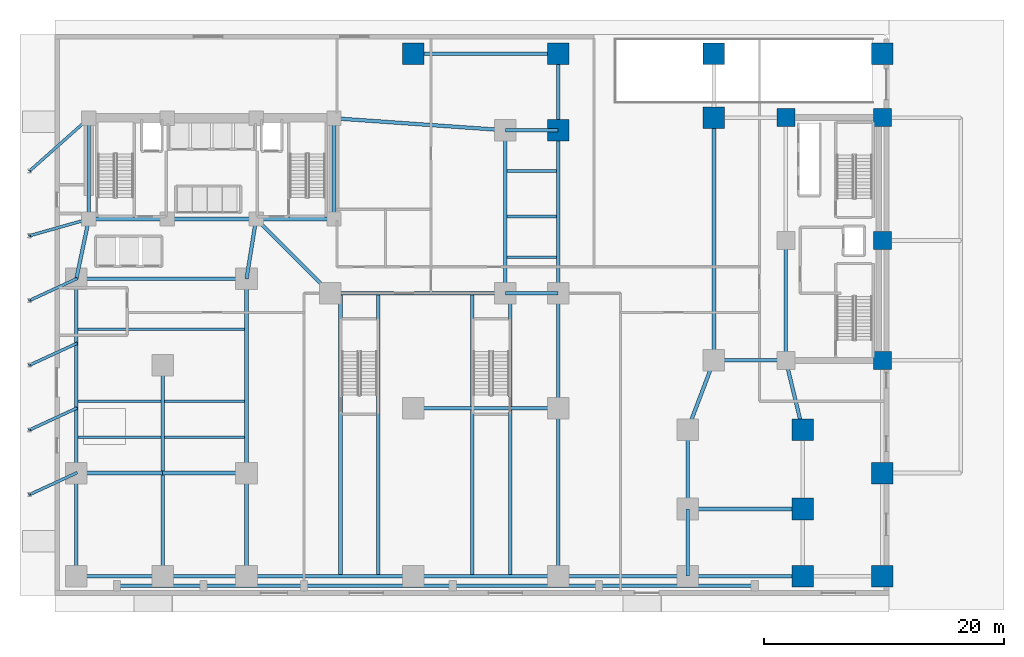
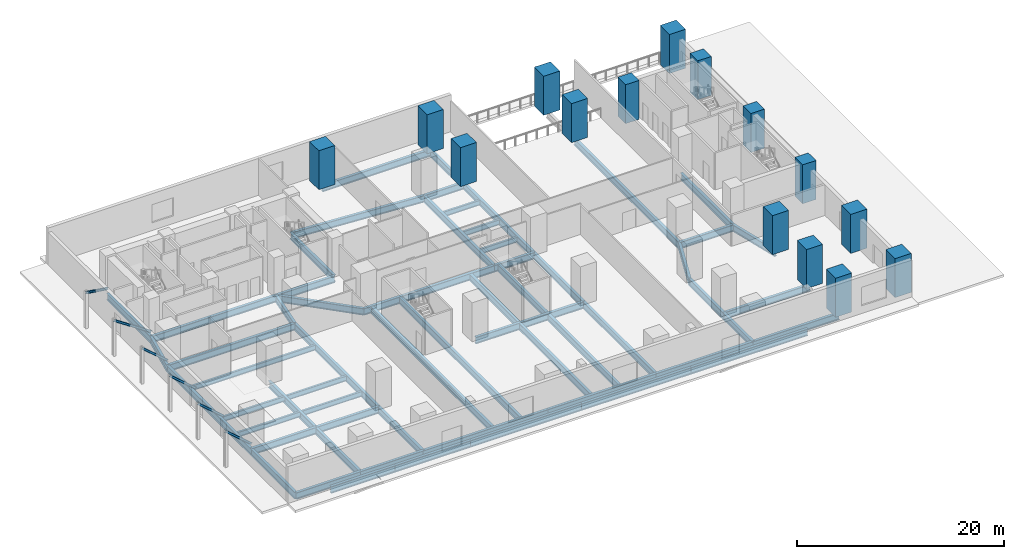
# One storey, part 4 of 14: 63 beams, 15 columns.
"""IFC4 building model written with IfcOpenShell, lengths in metres."""

from ifc_helpers import new_model, si_unit, direction, frame, origin, origin_2d, place, context, subcontext, project, spatial, rectangle, i_section, extrude, material, material_profile, profile_set, type_object, element, save


model = new_model("IFC4")

# Units and contexts
model_context = context("Model", 3, precision=1e-05, world=origin(), true_north=direction((0.0, 1.0)))
body_context = subcontext(model_context, "Body", "Model", "MODEL_VIEW")
ifc_project = project(units=[si_unit("LENGTHUNIT", "METRE"), si_unit("AREAUNIT", "SQUARE_METRE"), si_unit("VOLUMEUNIT", "CUBIC_METRE"), si_unit("PLANEANGLEUNIT", "RADIAN"), si_unit("MASSUNIT", "GRAM", prefix="KILO")], contexts=[model_context])

# Site, building, storey
site_placement = place(None, origin())
site = spatial("IfcSite", under=ifc_project, at=site_placement, CompositionType="ELEMENT")
building_placement = place(site_placement, origin())
building = spatial("IfcBuilding", under=site, at=building_placement, Name="Kuzgunbayir Cultural Tower", CompositionType="ELEMENT")
storey_placement = place(building_placement, origin())
storey = spatial("IfcBuildingStorey", under=building, at=storey_placement, Name="L00", CompositionType="ELEMENT", Elevation=0.0)

# Columns
ifc_material_1 = material(Name="Concrete C60/75", Category="concrete")
ifc_material_profile_1 = material_profile(ifc_material_1, rectangle(XDim=1.5, YDim=1.5, at=origin_2d()), Name="RC 1500x1500")
ifc_profile_set_1 = profile_set([ifc_material_profile_1], Name="Concrete C60/75")
column_type_1 = type_object("IfcColumnType", Name="COL-MEGA-1500", PredefinedType="COLUMN", material=ifc_profile_set_1)
for number, where, z_axis, x_axis, name in (
    (1, (72.64990234375, 22.0, 0.0), (0.0, 0.0, 1.0), (1.0, 0.0, 0.0), "L00 T2 Core Boundary Column CC2-2"),
    (2, (72.64990234375, 32.0, 0.0), (0.0, 0.0, 1.0), (1.0, 0.0, 0.0), "L00 T2 Core Boundary Column CC2-4"),
    (3, (64.60009765625, 42.25, 0.0), (0.0, 0.0, 1.0), (1.0, 0.0, 0.0), "L00 T2 Core Boundary Column CC2-5"),
    (4, (72.64990234375, 42.25, 0.0), (0.0, 0.0, 1.0), (1.0, 0.0, 0.0), "L00 T2 Core Boundary Column CC2-6"),
):
    element("IfcColumn", number, at=place(storey_placement, frame(where, z_axis=z_axis, x_axis=x_axis)), inside=storey, type_object=column_type_1, Name=name, PredefinedType="COLUMN", context=body_context, shape_type="SweptSolid", body=[
        extrude(rectangle(XDim=1.5, YDim=1.5, at=origin_2d()), origin(), (0.0, 0.0, 1.0), 4.60009765625),
    ])
ifc_material_profile_2 = material_profile(ifc_material_1, rectangle(XDim=1.800048828125, YDim=1.800048828125, at=origin_2d()), Name="RC 1800x1800")
ifc_profile_set_2 = profile_set([ifc_material_profile_2], Name="Concrete C60/75")
column_type_2 = type_object("IfcColumnType", Name="COL-MEGA-1800", PredefinedType="COLUMN", material=ifc_profile_set_2)
for number, where, z_axis, x_axis, name in (
    (5, (45.60009765625, 41.199951171875, 0.0), (0.0, 0.0, 1.0), (1.0, 0.0, 0.0), "L00 Podium Mega-Column PC-T1B-5N"),
    (6, (58.60009765625, 42.25, 0.0), (0.0, 0.0, 1.0), (1.0, 0.0, 0.0), "L00 Podium Mega-Column PC-T2A-NW"),
    (7, (66.0, 9.60009765625, 0.0), (0.0, 0.0, 1.0), (1.0, 0.0, 0.0), "L00 Podium Mega-Column PC-T2B-SE"),
    (8, (66.0, 16.199951171875, 0.0), (0.0, 0.0, 1.0), (1.0, 0.0, 0.0), "L00 Podium Mega-Column PC-T2B-ME"),
    (9, (66.0, 4.0, 0.0), (0.0, 0.0, 1.0), (1.0, 0.0, 0.0), "L00 Podium Mega-Column PC-P07"),
    (10, (72.64990234375, 4.0, 0.0), (0.0, 0.0, 1.0), (1.0, 0.0, 0.0), "L00 Podium Mega-Column PC-P08"),
    (11, (72.64990234375, 12.60009765625, 0.0), (0.0, 0.0, 1.0), (1.0, 0.0, 0.0), "L00 Podium Mega-Column PC-P12"),
    (12, (33.5, 47.60009765625, 0.0), (0.0, 0.0, 1.0), (1.0, 0.0, 0.0), "L00 Podium Mega-Column PC-P13"),
    (13, (45.60009765625, 47.60009765625, 0.0), (0.0, 0.0, 1.0), (1.0, 0.0, 0.0), "L00 Podium Mega-Column PC-P14"),
    (14, (58.60009765625, 47.60009765625, 0.0), (0.0, 0.0, 1.0), (1.0, 0.0, 0.0), "L00 Podium Mega-Column PC-P15"),
    (15, (72.64990234375, 47.60009765625, 0.0), (0.0, 0.0, 1.0), (1.0, 0.0, 0.0), "L00 Podium Mega-Column PC-P16"),
):
    element("IfcColumn", number, at=place(storey_placement, frame(where, z_axis=z_axis, x_axis=x_axis)), inside=storey, type_object=column_type_2, Name=name, PredefinedType="COLUMN", context=body_context, shape_type="SweptSolid", body=[
        extrude(rectangle(XDim=1.800048828125, YDim=1.800048828125, at=origin_2d()), origin(), (0.0, 0.0, 1.0), 4.60009765625),
    ])

# Beams
ifc_material_2 = material(Name="Steel S355J2", Category="steel")
ifc_material_profile_3 = material_profile(ifc_material_2, i_section(OverallWidth=0.239990234375, OverallDepth=0.239990234375, WebThickness=0.010009765625, FlangeThickness=0.01708984375, FilletRadius=0.02099609375, at=origin_2d()), Name="HEB 240")
ifc_profile_set_3 = profile_set([ifc_material_profile_3], Name="Steel S355J2")
beam_type_1 = type_object("IfcBeamType", Name="BM-CAN-HEB240", PredefinedType="BEAM", material=ifc_profile_set_3)
for number, where, z_axis, x_axis, name in (
    (16, (5.39990234375, 12.60009765625, 0.25), (-0.672210621389, -0.310267241236, 0.672210621389), (0.419076199598, -0.907951066374, 0.0), "L00 Colonnade Canopy Bracket Girder 1"),
    (17, (5.39990234375, 18.0, 0.25), (-0.672210621389, -0.310267241236, 0.672210621389), (0.419076199598, -0.907951066374, 0.0), "L00 Colonnade Canopy Bracket Girder 2"),
    (18, (5.39990234375, 23.39990234375, 0.25), (-0.672219397701, -0.310229209957, 0.672219397701), (0.419029341013, -0.907972693075, 0.0), "L00 Colonnade Canopy Bracket Girder 3"),
    (19, (5.39990234375, 28.800048828125, 0.25), (-0.672210621389, -0.310267241236, 0.672210621389), (0.419076199598, -0.907951066374, 0.0), "L00 Colonnade Canopy Bracket Girder 4"),
):
    element("IfcBeam", number, at=place(storey_placement, frame(where, z_axis=z_axis, x_axis=x_axis)), inside=storey, type_object=beam_type_1, Name=name, PredefinedType="BEAM", context=body_context, shape_type="SweptSolid", body=[
        extrude(i_section(OverallWidth=0.239990234375, OverallDepth=0.239990234375, WebThickness=0.010009765625, FlangeThickness=0.01708984375, FilletRadius=0.02099609375, at=origin_2d()), origin(), (0.0, 0.0, 1.0), 5.801513671875),
    ])
beam_1_placement = place(storey_placement, frame((6.449951171875, 33.800048828125, 0.25), z_axis=(-0.766797146348, -0.216896751384, 0.604134037769), x_axis=(0.272181522825, -0.962245924197, 0.0)))
element("IfcBeam", 20, at=beam_1_placement, inside=storey, type_object=beam_type_1, Name="L00 Colonnade Canopy Bracket Girder 5", PredefinedType="BEAM", context=body_context, shape_type="SweptSolid", body=[
    extrude(i_section(OverallWidth=0.239990234375, OverallDepth=0.239990234375, WebThickness=0.010009765625, FlangeThickness=0.01708984375, FilletRadius=0.02099609375, at=origin_2d()), origin(), (0.0, 0.0, 1.0), 6.455322265625),
])
beam_2_placement = place(storey_placement, frame((6.449951171875, 42.199951171875, 0.25), z_axis=(-0.644044647828, -0.572477072412, 0.507421415754), x_axis=(0.664359262623, -0.747413386398, 0.0)))
element("IfcBeam", 21, at=beam_2_placement, inside=storey, type_object=beam_type_1, Name="L00 Colonnade Canopy Bracket Girder 6", PredefinedType="BEAM", context=body_context, shape_type="SweptSolid", body=[
    extrude(i_section(OverallWidth=0.239990234375, OverallDepth=0.239990234375, WebThickness=0.010009765625, FlangeThickness=0.01708984375, FilletRadius=0.02099609375, at=origin_2d()), origin(), (0.0, 0.0, 1.0), 7.685791015625),
])
ifc_material_profile_4 = material_profile(ifc_material_2, i_section(OverallWidth=0.300048828125, OverallDepth=0.800048828125, WebThickness=0.017578125, FlangeThickness=0.032958984375, FilletRadius=0.030029296875, at=origin_2d()), Name="HEB 800")
ifc_profile_set_4 = profile_set([ifc_material_profile_4], Name="Steel S355J2")
beam_type_2 = type_object("IfcBeamType", Name="BM-GIR-HEB800", PredefinedType="BEAM", material=ifc_profile_set_4)
beam_3_placement = place(storey_placement, frame((5.39990234375, 4.0, -0.64990234375), z_axis=(1.0, 0.0, 0.0), x_axis=(0.0, 1.0, 0.0)))
element("IfcBeam", 22, at=beam_3_placement, inside=storey, type_object=beam_type_2, Name="L00 Podium South Girder 1", PredefinedType="BEAM", context=body_context, shape_type="SweptSolid", body=[
    extrude(i_section(OverallWidth=0.300048828125, OverallDepth=0.800048828125, WebThickness=0.017578125, FlangeThickness=0.032958984375, FilletRadius=0.030029296875, at=origin_2d()), origin(), (0.0, 0.0, 1.0), 7.2001953125),
])
beam_4_placement = place(storey_placement, frame((12.60009765625, 4.0, -0.64990234375), z_axis=(1.0, 0.0, 0.0), x_axis=(0.0, 1.0, 0.0)))
element("IfcBeam", 23, at=beam_4_placement, inside=storey, type_object=beam_type_2, Name="L00 Podium South Girder 2", PredefinedType="BEAM", context=body_context, shape_type="SweptSolid", body=[
    extrude(i_section(OverallWidth=0.300048828125, OverallDepth=0.800048828125, WebThickness=0.017578125, FlangeThickness=0.032958984375, FilletRadius=0.030029296875, at=origin_2d()), origin(), (0.0, 0.0, 1.0), 7.0),
])
beam_5_placement = place(storey_placement, frame((19.60009765625, 4.0, -0.64990234375), z_axis=(1.0, 0.0, 0.0), x_axis=(0.0, 1.0, 0.0)))
element("IfcBeam", 24, at=beam_5_placement, inside=storey, type_object=beam_type_2, Name="L00 Podium South Girder 3", PredefinedType="BEAM", context=body_context, shape_type="SweptSolid", body=[
    extrude(i_section(OverallWidth=0.300048828125, OverallDepth=0.800048828125, WebThickness=0.017578125, FlangeThickness=0.032958984375, FilletRadius=0.030029296875, at=origin_2d()), origin(), (0.0, 0.0, 1.0), 13.89990234375),
])
beam_6_placement = place(storey_placement, frame((33.5, 4.0, -0.64990234375), z_axis=(1.0, 0.0, 0.0), x_axis=(0.0, 1.0, 0.0)))
element("IfcBeam", 25, at=beam_6_placement, inside=storey, type_object=beam_type_2, Name="L00 Podium South Girder 4", PredefinedType="BEAM", context=body_context, shape_type="SweptSolid", body=[
    extrude(i_section(OverallWidth=0.300048828125, OverallDepth=0.800048828125, WebThickness=0.017578125, FlangeThickness=0.032958984375, FilletRadius=0.030029296875, at=origin_2d()), origin(), (0.0, 0.0, 1.0), 12.10009765625),
])
beam_7_placement = place(storey_placement, frame((45.60009765625, 4.0, -0.64990234375), z_axis=(1.0, 0.0, 0.0), x_axis=(0.0, 1.0, 0.0)))
element("IfcBeam", 26, at=beam_7_placement, inside=storey, type_object=beam_type_2, Name="L00 Podium South Girder 5", PredefinedType="BEAM", context=body_context, shape_type="SweptSolid", body=[
    extrude(i_section(OverallWidth=0.300048828125, OverallDepth=0.800048828125, WebThickness=0.017578125, FlangeThickness=0.032958984375, FilletRadius=0.030029296875, at=origin_2d()), origin(), (0.0, 0.0, 1.0), 10.7998046875),
])
beam_8_placement = place(storey_placement, frame((56.39990234375, 4.0, -0.64990234375), z_axis=(1.0, 0.0, 0.0), x_axis=(0.0, 1.0, 0.0)))
element("IfcBeam", 27, at=beam_8_placement, inside=storey, type_object=beam_type_2, Name="L00 Podium South Girder 6", PredefinedType="BEAM", context=body_context, shape_type="SweptSolid", body=[
    extrude(i_section(OverallWidth=0.300048828125, OverallDepth=0.800048828125, WebThickness=0.017578125, FlangeThickness=0.032958984375, FilletRadius=0.030029296875, at=origin_2d()), origin(), (0.0, 0.0, 1.0), 9.60009765625),
])
beam_9_placement = place(storey_placement, frame((8.800048828125, 3.199951171875, -0.64990234375), z_axis=(1.0, 0.0, 0.0), x_axis=(0.0, 1.0, 0.0)))
element("IfcBeam", 28, at=beam_9_placement, inside=storey, type_object=beam_type_2, Name="L00 South Edge Girder 1", PredefinedType="BEAM", context=body_context, shape_type="SweptSolid", body=[
    extrude(i_section(OverallWidth=0.300048828125, OverallDepth=0.800048828125, WebThickness=0.017578125, FlangeThickness=0.032958984375, FilletRadius=0.030029296875, at=origin_2d()), origin(), (0.0, 0.0, 1.0), 7.199951171875),
])
beam_10_placement = place(storey_placement, frame((16.0, 3.199951171875, -0.64990234375), z_axis=(1.0, 0.0, 0.0), x_axis=(0.0, 1.0, 0.0)))
element("IfcBeam", 29, at=beam_10_placement, inside=storey, type_object=beam_type_2, Name="L00 South Edge Girder 2", PredefinedType="BEAM", context=body_context, shape_type="SweptSolid", body=[
    extrude(i_section(OverallWidth=0.300048828125, OverallDepth=0.800048828125, WebThickness=0.017578125, FlangeThickness=0.032958984375, FilletRadius=0.030029296875, at=origin_2d()), origin(), (0.0, 0.0, 1.0), 8.39990234375),
])
beam_11_placement = place(storey_placement, frame((24.39990234375, 3.199951171875, -0.64990234375), z_axis=(1.0, 0.0, 0.0), x_axis=(0.0, 1.0, 0.0)))
element("IfcBeam", 30, at=beam_11_placement, inside=storey, type_object=beam_type_2, Name="L00 South Edge Girder 3", PredefinedType="BEAM", context=body_context, shape_type="SweptSolid", body=[
    extrude(i_section(OverallWidth=0.300048828125, OverallDepth=0.800048828125, WebThickness=0.017578125, FlangeThickness=0.032958984375, FilletRadius=0.030029296875, at=origin_2d()), origin(), (0.0, 0.0, 1.0), 12.400146484375),
])
beam_12_placement = place(storey_placement, frame((36.800048828125, 3.199951171875, -0.64990234375), z_axis=(1.0, 0.0, 0.0), x_axis=(0.0, 1.0, 0.0)))
element("IfcBeam", 31, at=beam_12_placement, inside=storey, type_object=beam_type_2, Name="L00 South Edge Girder 4", PredefinedType="BEAM", context=body_context, shape_type="SweptSolid", body=[
    extrude(i_section(OverallWidth=0.300048828125, OverallDepth=0.800048828125, WebThickness=0.017578125, FlangeThickness=0.032958984375, FilletRadius=0.030029296875, at=origin_2d()), origin(), (0.0, 0.0, 1.0), 12.199951171875),
])
beam_13_placement = place(storey_placement, frame((49.0, 3.199951171875, -0.64990234375), z_axis=(1.0, 0.0, 0.0), x_axis=(0.0, 1.0, 0.0)))
element("IfcBeam", 32, at=beam_13_placement, inside=storey, type_object=beam_type_2, Name="L00 South Edge Girder 5", PredefinedType="BEAM", context=body_context, shape_type="SweptSolid", body=[
    extrude(i_section(OverallWidth=0.300048828125, OverallDepth=0.800048828125, WebThickness=0.017578125, FlangeThickness=0.032958984375, FilletRadius=0.030029296875, at=origin_2d()), origin(), (0.0, 0.0, 1.0), 13.0),
])
beam_14_placement = place(storey_placement, frame((33.5, 47.60009765625, -0.64990234375), z_axis=(1.0, 0.0, 0.0), x_axis=(0.0, 1.0, 0.0)))
element("IfcBeam", 33, at=beam_14_placement, inside=storey, type_object=beam_type_2, Name="L00 Podium North Girder 1", PredefinedType="BEAM", context=body_context, shape_type="SweptSolid", body=[
    extrude(i_section(OverallWidth=0.300048828125, OverallDepth=0.800048828125, WebThickness=0.017578125, FlangeThickness=0.032958984375, FilletRadius=0.030029296875, at=origin_2d()), origin(), (0.0, 0.0, 1.0), 12.10009765625),
])
beam_15_placement = place(storey_placement, frame((5.39990234375, 12.60009765625, -0.64990234375), z_axis=(1.0, 0.0, 0.0), x_axis=(0.0, 1.0, 0.0)))
element("IfcBeam", 34, at=beam_15_placement, inside=storey, type_object=beam_type_2, Name="L00 Podium Primary Girder 1", PredefinedType="BEAM", context=body_context, shape_type="SweptSolid", body=[
    extrude(i_section(OverallWidth=0.300048828125, OverallDepth=0.800048828125, WebThickness=0.017578125, FlangeThickness=0.032958984375, FilletRadius=0.030029296875, at=origin_2d()), origin(), (0.0, 0.0, 1.0), 7.2001953125),
])
beam_16_placement = place(storey_placement, frame((12.60009765625, 12.60009765625, -0.64990234375), z_axis=(1.0, 0.0, 0.0), x_axis=(0.0, 1.0, 0.0)))
element("IfcBeam", 35, at=beam_16_placement, inside=storey, type_object=beam_type_2, Name="L00 Podium Primary Girder 2", PredefinedType="BEAM", context=body_context, shape_type="SweptSolid", body=[
    extrude(i_section(OverallWidth=0.300048828125, OverallDepth=0.800048828125, WebThickness=0.017578125, FlangeThickness=0.032958984375, FilletRadius=0.030029296875, at=origin_2d()), origin(), (0.0, 0.0, 1.0), 7.0),
])
beam_17_placement = place(storey_placement, frame((5.39990234375, 28.800048828125, -0.64990234375), z_axis=(1.0, 0.0, 0.0), x_axis=(0.0, 1.0, 0.0)))
element("IfcBeam", 36, at=beam_17_placement, inside=storey, type_object=beam_type_2, Name="L00 Podium Primary Girder 3", PredefinedType="BEAM", context=body_context, shape_type="SweptSolid", body=[
    extrude(i_section(OverallWidth=0.300048828125, OverallDepth=0.800048828125, WebThickness=0.017578125, FlangeThickness=0.032958984375, FilletRadius=0.030029296875, at=origin_2d()), origin(), (0.0, 0.0, 1.0), 14.2001953125),
])
for number, where, z_axis, x_axis, name in (
    (37, (5.39990234375, 12.60009765625, -0.64990234375), (0.0, 1.0, 0.0), (-1.0, 0.0, 0.0), "L00 Podium Primary Girder 4"),
    (38, (19.60009765625, 12.60009765625, -0.64990234375), (0.0, 1.0, 0.0), (-1.0, 0.0, 0.0), "L00 Podium Primary Girder 5"),
):
    element("IfcBeam", number, at=place(storey_placement, frame(where, z_axis=z_axis, x_axis=x_axis)), inside=storey, type_object=beam_type_2, Name=name, PredefinedType="BEAM", context=body_context, shape_type="SweptSolid", body=[
        extrude(i_section(OverallWidth=0.300048828125, OverallDepth=0.800048828125, WebThickness=0.017578125, FlangeThickness=0.032958984375, FilletRadius=0.030029296875, at=origin_2d()), origin(), (0.0, 0.0, 1.0), 16.199951171875),
    ])
beam_18_placement = place(storey_placement, frame((12.60009765625, 12.60009765625, -0.64990234375), z_axis=(0.0, 1.0, 0.0), x_axis=(-1.0, 0.0, 0.0)))
element("IfcBeam", 39, at=beam_18_placement, inside=storey, type_object=beam_type_2, Name="L00 Podium Primary Girder 6", PredefinedType="BEAM", context=body_context, shape_type="SweptSolid", body=[
    extrude(i_section(OverallWidth=0.300048828125, OverallDepth=0.800048828125, WebThickness=0.017578125, FlangeThickness=0.032958984375, FilletRadius=0.030029296875, at=origin_2d()), origin(), (0.0, 0.0, 1.0), 9.0),
])
beam_19_placement = place(storey_placement, frame((5.39990234375, 28.800048828125, -0.64990234375), z_axis=(0.205526387753, 0.978651574329, 0.0), x_axis=(-0.978651574329, 0.205526387753, 0.0)))
element("IfcBeam", 40, at=beam_19_placement, inside=storey, type_object=beam_type_2, Name="L00 Podium Primary Girder 7", PredefinedType="BEAM", context=body_context, shape_type="SweptSolid", body=[
    extrude(i_section(OverallWidth=0.300048828125, OverallDepth=0.800048828125, WebThickness=0.017578125, FlangeThickness=0.032958984375, FilletRadius=0.030029296875, at=origin_2d()), origin(), (0.0, 0.0, 1.0), 5.109130859375),
])
beam_20_placement = place(storey_placement, frame((19.60009765625, 28.800048828125, -0.64990234375), z_axis=(0.157952891656, 0.987446648694, 0.0), x_axis=(-0.987446648694, 0.157952891656, 0.0)))
element("IfcBeam", 41, at=beam_20_placement, inside=storey, type_object=beam_type_2, Name="L00 Podium Primary Girder 8", PredefinedType="BEAM", context=body_context, shape_type="SweptSolid", body=[
    extrude(i_section(OverallWidth=0.300048828125, OverallDepth=0.800048828125, WebThickness=0.017578125, FlangeThickness=0.032958984375, FilletRadius=0.030029296875, at=origin_2d()), origin(), (0.0, 0.0, 1.0), 5.0634765625),
])
beam_21_placement = place(storey_placement, frame((20.39990234375, 33.800048828125, -0.64990234375), z_axis=(0.707120702941, -0.707092859158, 0.0), x_axis=(0.707092859158, 0.707120702941, 0.0)))
element("IfcBeam", 42, at=beam_21_placement, inside=storey, type_object=beam_type_2, Name="L00 Podium Primary Girder 9", PredefinedType="BEAM", context=body_context, shape_type="SweptSolid", body=[
    extrude(i_section(OverallWidth=0.300048828125, OverallDepth=0.800048828125, WebThickness=0.017578125, FlangeThickness=0.032958984375, FilletRadius=0.030029296875, at=origin_2d()), origin(), (0.0, 0.0, 1.0), 8.768310546875),
])
beam_22_placement = place(storey_placement, frame((26.60009765625, 27.60009765625, -0.64990234375), z_axis=(1.0, 0.0, 0.0), x_axis=(0.0, 1.0, 0.0)))
element("IfcBeam", 43, at=beam_22_placement, inside=storey, type_object=beam_type_2, Name="L00 Podium Primary Girder 10", PredefinedType="BEAM", context=body_context, shape_type="SweptSolid", body=[
    extrude(i_section(OverallWidth=0.300048828125, OverallDepth=0.800048828125, WebThickness=0.017578125, FlangeThickness=0.032958984375, FilletRadius=0.030029296875, at=origin_2d()), origin(), (0.0, 0.0, 1.0), 14.599853515625),
])
beam_23_placement = place(storey_placement, frame((41.199951171875, 27.60009765625, -0.64990234375), z_axis=(1.0, 0.0, 0.0), x_axis=(0.0, 1.0, 0.0)))
element("IfcBeam", 44, at=beam_23_placement, inside=storey, type_object=beam_type_2, Name="L00 Podium Primary Girder 11", PredefinedType="BEAM", context=body_context, shape_type="SweptSolid", body=[
    extrude(i_section(OverallWidth=0.300048828125, OverallDepth=0.800048828125, WebThickness=0.017578125, FlangeThickness=0.032958984375, FilletRadius=0.030029296875, at=origin_2d()), origin(), (0.0, 0.0, 1.0), 4.400146484375),
])
beam_24_placement = place(storey_placement, frame((26.89990234375, 42.199951171875, -0.64990234375), z_axis=(0.997563840671, -0.06975947094, 0.0), x_axis=(0.06975947094, 0.997563840671, 0.0)))
element("IfcBeam", 45, at=beam_24_placement, inside=storey, type_object=beam_type_2, Name="L00 Podium Primary Girder 12", PredefinedType="BEAM", context=body_context, shape_type="SweptSolid", body=[
    extrude(i_section(OverallWidth=0.300048828125, OverallDepth=0.800048828125, WebThickness=0.017578125, FlangeThickness=0.032958984375, FilletRadius=0.030029296875, at=origin_2d()), origin(), (0.0, 0.0, 1.0), 14.3349609375),
])
beam_25_placement = place(storey_placement, frame((41.199951171875, 41.199951171875, -0.64990234375), z_axis=(1.0, 0.0, 0.0), x_axis=(0.0, 1.0, 0.0)))
element("IfcBeam", 46, at=beam_25_placement, inside=storey, type_object=beam_type_2, Name="L00 Podium Primary Girder 13", PredefinedType="BEAM", context=body_context, shape_type="SweptSolid", body=[
    extrude(i_section(OverallWidth=0.300048828125, OverallDepth=0.800048828125, WebThickness=0.017578125, FlangeThickness=0.032958984375, FilletRadius=0.030029296875, at=origin_2d()), origin(), (0.0, 0.0, 1.0), 4.400146484375),
])
for number, where, z_axis, x_axis, name in (
    (47, (41.199951171875, 27.60009765625, -0.64990234375), (0.0, 1.0, 0.0), (-1.0, 0.0, 0.0), "L00 Podium Primary Girder 14"),
    (48, (45.60009765625, 27.60009765625, -0.64990234375), (0.0, 1.0, 0.0), (-1.0, 0.0, 0.0), "L00 Podium Primary Girder 15"),
):
    element("IfcBeam", number, at=place(storey_placement, frame(where, z_axis=z_axis, x_axis=x_axis)), inside=storey, type_object=beam_type_2, Name=name, PredefinedType="BEAM", context=body_context, shape_type="SweptSolid", body=[
        extrude(i_section(OverallWidth=0.300048828125, OverallDepth=0.800048828125, WebThickness=0.017578125, FlangeThickness=0.032958984375, FilletRadius=0.030029296875, at=origin_2d()), origin(), (0.0, 0.0, 1.0), 13.599853515625),
    ])
beam_26_placement = place(storey_placement, frame((33.5, 18.0, -0.64990234375), z_axis=(1.0, 0.0, 0.0), x_axis=(0.0, 1.0, 0.0)))
element("IfcBeam", 49, at=beam_26_placement, inside=storey, type_object=beam_type_2, Name="L00 Podium Primary Girder 16", PredefinedType="BEAM", context=body_context, shape_type="SweptSolid", body=[
    extrude(i_section(OverallWidth=0.300048828125, OverallDepth=0.800048828125, WebThickness=0.017578125, FlangeThickness=0.032958984375, FilletRadius=0.030029296875, at=origin_2d()), origin(), (0.0, 0.0, 1.0), 12.10009765625),
])
for number, where, z_axis, x_axis, name in (
    (50, (45.60009765625, 18.0, -0.64990234375), (0.0, 1.0, 0.0), (-1.0, 0.0, 0.0), "L00 Podium Primary Girder 17"),
    (51, (56.39990234375, 9.60009765625, -0.64990234375), (1.0, 0.0, 0.0), (0.0, 1.0, 0.0), "L00 Podium Primary Girder 18"),
):
    element("IfcBeam", number, at=place(storey_placement, frame(where, z_axis=z_axis, x_axis=x_axis)), inside=storey, type_object=beam_type_2, Name=name, PredefinedType="BEAM", context=body_context, shape_type="SweptSolid", body=[
        extrude(i_section(OverallWidth=0.300048828125, OverallDepth=0.800048828125, WebThickness=0.017578125, FlangeThickness=0.032958984375, FilletRadius=0.030029296875, at=origin_2d()), origin(), (0.0, 0.0, 1.0), 9.60009765625),
    ])
beam_27_placement = place(storey_placement, frame((56.39990234375, 9.60009765625, -0.64990234375), z_axis=(0.0, 1.0, 0.0), x_axis=(-1.0, 0.0, 0.0)))
element("IfcBeam", 52, at=beam_27_placement, inside=storey, type_object=beam_type_2, Name="L00 Podium Primary Girder 19", PredefinedType="BEAM", context=body_context, shape_type="SweptSolid", body=[
    extrude(i_section(OverallWidth=0.300048828125, OverallDepth=0.800048828125, WebThickness=0.017578125, FlangeThickness=0.032958984375, FilletRadius=0.030029296875, at=origin_2d()), origin(), (0.0, 0.0, 1.0), 6.599853515625),
])
beam_28_placement = place(storey_placement, frame((56.39990234375, 16.199951171875, -0.64990234375), z_axis=(0.354679148754, 0.93498807556, 0.0), x_axis=(-0.93498807556, 0.354679148754, 0.0)))
element("IfcBeam", 53, at=beam_28_placement, inside=storey, type_object=beam_type_2, Name="L00 Podium Primary Girder 20", PredefinedType="BEAM", context=body_context, shape_type="SweptSolid", body=[
    extrude(i_section(OverallWidth=0.300048828125, OverallDepth=0.800048828125, WebThickness=0.017578125, FlangeThickness=0.032958984375, FilletRadius=0.030029296875, at=origin_2d()), origin(), (0.0, 0.0, 1.0), 6.203369140625),
])
beam_29_placement = place(storey_placement, frame((66.0, 16.199951171875, -0.64990234375), z_axis=(-0.234623200431, 0.972086392158, 0.0), x_axis=(-0.972086392158, -0.234623200431, 0.0)))
element("IfcBeam", 54, at=beam_29_placement, inside=storey, type_object=beam_type_2, Name="L00 Podium Primary Girder 22", PredefinedType="BEAM", context=body_context, shape_type="SweptSolid", body=[
    extrude(i_section(OverallWidth=0.300048828125, OverallDepth=0.800048828125, WebThickness=0.017578125, FlangeThickness=0.032958984375, FilletRadius=0.030029296875, at=origin_2d()), origin(), (0.0, 0.0, 1.0), 5.966552734375),
])
beam_30_placement = place(storey_placement, frame((58.60009765625, 22.0, -0.64990234375), z_axis=(1.0, 0.0, 0.0), x_axis=(0.0, 1.0, 0.0)))
element("IfcBeam", 55, at=beam_30_placement, inside=storey, type_object=beam_type_2, Name="L00 Podium Primary Girder 23", PredefinedType="BEAM", context=body_context, shape_type="SweptSolid", body=[
    extrude(i_section(OverallWidth=0.300048828125, OverallDepth=0.800048828125, WebThickness=0.017578125, FlangeThickness=0.032958984375, FilletRadius=0.030029296875, at=origin_2d()), origin(), (0.0, 0.0, 1.0), 6.0),
])
beam_31_placement = place(storey_placement, frame((58.60009765625, 22.0, -0.64990234375), z_axis=(0.0, 1.0, 0.0), x_axis=(-1.0, 0.0, 0.0)))
element("IfcBeam", 56, at=beam_31_placement, inside=storey, type_object=beam_type_2, Name="L00 Podium Primary Girder 25", PredefinedType="BEAM", context=body_context, shape_type="SweptSolid", body=[
    extrude(i_section(OverallWidth=0.300048828125, OverallDepth=0.800048828125, WebThickness=0.017578125, FlangeThickness=0.032958984375, FilletRadius=0.030029296875, at=origin_2d()), origin(), (0.0, 0.0, 1.0), 20.25),
])
beam_32_placement = place(storey_placement, frame((64.60009765625, 22.0, -0.64990234375), z_axis=(0.0, 1.0, 0.0), x_axis=(-1.0, 0.0, 0.0)))
element("IfcBeam", 57, at=beam_32_placement, inside=storey, type_object=beam_type_2, Name="L00 Podium Primary Girder 26", PredefinedType="BEAM", context=body_context, shape_type="SweptSolid", body=[
    extrude(i_section(OverallWidth=0.300048828125, OverallDepth=0.800048828125, WebThickness=0.017578125, FlangeThickness=0.032958984375, FilletRadius=0.030029296875, at=origin_2d()), origin(), (0.0, 0.0, 1.0), 10.0),
])
beam_33_placement = place(storey_placement, frame((6.449951171875, 33.800048828125, -0.64990234375), z_axis=(1.0, 0.0, 0.0), x_axis=(0.0, 1.0, 0.0)))
element("IfcBeam", 58, at=beam_33_placement, inside=storey, type_object=beam_type_2, Name="L00 Podium Primary Girder 28", PredefinedType="BEAM", context=body_context, shape_type="SweptSolid", body=[
    extrude(i_section(OverallWidth=0.300048828125, OverallDepth=0.800048828125, WebThickness=0.017578125, FlangeThickness=0.032958984375, FilletRadius=0.030029296875, at=origin_2d()), origin(), (0.0, 0.0, 1.0), 6.550048828125),
])
beam_34_placement = place(storey_placement, frame((13.0, 33.800048828125, -0.64990234375), z_axis=(1.0, 0.0, 0.0), x_axis=(0.0, 1.0, 0.0)))
element("IfcBeam", 59, at=beam_34_placement, inside=storey, type_object=beam_type_2, Name="L00 Podium Primary Girder 29", PredefinedType="BEAM", context=body_context, shape_type="SweptSolid", body=[
    extrude(i_section(OverallWidth=0.300048828125, OverallDepth=0.800048828125, WebThickness=0.017578125, FlangeThickness=0.032958984375, FilletRadius=0.030029296875, at=origin_2d()), origin(), (0.0, 0.0, 1.0), 7.39990234375),
])
beam_35_placement = place(storey_placement, frame((20.39990234375, 33.800048828125, -0.64990234375), z_axis=(1.0, 0.0, 0.0), x_axis=(0.0, 1.0, 0.0)))
element("IfcBeam", 60, at=beam_35_placement, inside=storey, type_object=beam_type_2, Name="L00 Podium Primary Girder 30", PredefinedType="BEAM", context=body_context, shape_type="SweptSolid", body=[
    extrude(i_section(OverallWidth=0.300048828125, OverallDepth=0.800048828125, WebThickness=0.017578125, FlangeThickness=0.032958984375, FilletRadius=0.030029296875, at=origin_2d()), origin(), (0.0, 0.0, 1.0), 6.5),
])
for number, where, z_axis, x_axis, name in (
    (61, (6.449951171875, 33.800048828125, -0.64990234375), (0.0, 1.0, 0.0), (-1.0, 0.0, 0.0), "L00 Podium Primary Girder 31"),
    (62, (26.89990234375, 33.800048828125, -0.64990234375), (0.0, 1.0, 0.0), (-1.0, 0.0, 0.0), "L00 Podium Primary Girder 32"),
):
    element("IfcBeam", number, at=place(storey_placement, frame(where, z_axis=z_axis, x_axis=x_axis)), inside=storey, type_object=beam_type_2, Name=name, PredefinedType="BEAM", context=body_context, shape_type="SweptSolid", body=[
        extrude(i_section(OverallWidth=0.300048828125, OverallDepth=0.800048828125, WebThickness=0.017578125, FlangeThickness=0.032958984375, FilletRadius=0.030029296875, at=origin_2d()), origin(), (0.0, 0.0, 1.0), 8.39990234375),
    ])
for number, where, z_axis, x_axis, name in (
    (63, (5.39990234375, 4.0, -0.64990234375), (0.0, 1.0, 0.0), (-1.0, 0.0, 0.0), "L00 Podium Primary Girder 33"),
    (64, (12.60009765625, 4.0, -0.64990234375), (0.0, 1.0, 0.0), (-1.0, 0.0, 0.0), "L00 Podium Primary Girder 34"),
    (65, (19.60009765625, 4.0, -0.64990234375), (0.0, 1.0, 0.0), (-1.0, 0.0, 0.0), "L00 Podium Primary Girder 35"),
):
    element("IfcBeam", number, at=place(storey_placement, frame(where, z_axis=z_axis, x_axis=x_axis)), inside=storey, type_object=beam_type_2, Name=name, PredefinedType="BEAM", context=body_context, shape_type="SweptSolid", body=[
        extrude(i_section(OverallWidth=0.300048828125, OverallDepth=0.800048828125, WebThickness=0.017578125, FlangeThickness=0.032958984375, FilletRadius=0.030029296875, at=origin_2d()), origin(), (0.0, 0.0, 1.0), 8.60009765625),
    ])
beam_36_placement = place(storey_placement, frame((45.60009765625, 4.0, -0.64990234375), z_axis=(0.0, 1.0, 0.0), x_axis=(-1.0, 0.0, 0.0)))
element("IfcBeam", 66, at=beam_36_placement, inside=storey, type_object=beam_type_2, Name="L00 Podium Primary Girder 36", PredefinedType="BEAM", context=body_context, shape_type="SweptSolid", body=[
    extrude(i_section(OverallWidth=0.300048828125, OverallDepth=0.800048828125, WebThickness=0.017578125, FlangeThickness=0.032958984375, FilletRadius=0.030029296875, at=origin_2d()), origin(), (0.0, 0.0, 1.0), 14.0),
])
beam_37_placement = place(storey_placement, frame((56.39990234375, 4.0, -0.64990234375), z_axis=(0.0, 1.0, 0.0), x_axis=(-1.0, 0.0, 0.0)))
element("IfcBeam", 67, at=beam_37_placement, inside=storey, type_object=beam_type_2, Name="L00 Podium Primary Girder 37", PredefinedType="BEAM", context=body_context, shape_type="SweptSolid", body=[
    extrude(i_section(OverallWidth=0.300048828125, OverallDepth=0.800048828125, WebThickness=0.017578125, FlangeThickness=0.032958984375, FilletRadius=0.030029296875, at=origin_2d()), origin(), (0.0, 0.0, 1.0), 5.60009765625),
])
beam_38_placement = place(storey_placement, frame((45.60009765625, 41.199951171875, -0.64990234375), z_axis=(0.0, 1.0, 0.0), x_axis=(-1.0, 0.0, 0.0)))
element("IfcBeam", 68, at=beam_38_placement, inside=storey, type_object=beam_type_2, Name="L00 Podium Primary Girder 41", PredefinedType="BEAM", context=body_context, shape_type="SweptSolid", body=[
    extrude(i_section(OverallWidth=0.300048828125, OverallDepth=0.800048828125, WebThickness=0.017578125, FlangeThickness=0.032958984375, FilletRadius=0.030029296875, at=origin_2d()), origin(), (0.0, 0.0, 1.0), 6.400146484375),
])
for number, where, z_axis, x_axis, name in (
    (69, (27.43994140625, 4.0, -0.64990234375), (0.0, 1.0, 0.0), (-1.0, 0.0, 0.0), "L00 Podium Primary Girder 43"),
    (70, (30.60009765625, 4.0, -0.64990234375), (0.0, 1.0, 0.0), (-1.0, 0.0, 0.0), "L00 Podium Primary Girder 44"),
    (71, (38.43994140625, 4.0, -0.64990234375), (0.0, 1.0, 0.0), (-1.0, 0.0, 0.0), "L00 Podium Primary Girder 45"),
    (72, (41.60009765625, 4.0, -0.64990234375), (0.0, 1.0, 0.0), (-1.0, 0.0, 0.0), "L00 Podium Primary Girder 46"),
):
    element("IfcBeam", number, at=place(storey_placement, frame(where, z_axis=z_axis, x_axis=x_axis)), inside=storey, type_object=beam_type_2, Name=name, PredefinedType="BEAM", context=body_context, shape_type="SweptSolid", body=[
        extrude(i_section(OverallWidth=0.300048828125, OverallDepth=0.800048828125, WebThickness=0.017578125, FlangeThickness=0.032958984375, FilletRadius=0.030029296875, at=origin_2d()), origin(), (0.0, 0.0, 1.0), 23.60009765625),
    ])
ifc_material_profile_5 = material_profile(ifc_material_2, i_section(OverallWidth=0.219970703125, OverallDepth=0.60009765625, WebThickness=0.011962890625, FlangeThickness=0.01904296875, FilletRadius=0.02392578125, at=origin_2d()), Name="IPE 600")
ifc_profile_set_5 = profile_set([ifc_material_profile_5], Name="Steel S355J2")
beam_type_3 = type_object("IfcBeamType", Name="BM-JST-IPE600", PredefinedType="JOIST", material=ifc_profile_set_5)
for number, where, z_axis, x_axis, name in (
    (73, (5.550048828125, 15.60009765625, -0.550048828125), (1.0, 0.0, 0.0), (0.0, 1.0, 0.0), "L00 Podium Joist A"),
    (74, (5.550048828125, 18.60009765625, -0.550048828125), (1.0, 0.0, 0.0), (0.0, 1.0, 0.0), "L00 Podium Joist A"),
    (75, (5.550048828125, 24.60009765625, -0.550048828125), (1.0, 0.0, 0.0), (0.0, 1.0, 0.0), "L00 Podium Joist A"),
):
    element("IfcBeam", number, at=place(storey_placement, frame(where, z_axis=z_axis, x_axis=x_axis)), inside=storey, type_object=beam_type_3, Name=name, PredefinedType="JOIST", context=body_context, shape_type="SweptSolid", body=[
        extrude(i_section(OverallWidth=0.219970703125, OverallDepth=0.60009765625, WebThickness=0.011962890625, FlangeThickness=0.01904296875, FilletRadius=0.02392578125, at=origin_2d()), origin(), (0.0, 0.0, 1.0), 13.89990234375),
    ])
for number, where, z_axis, x_axis, name in (
    (76, (41.35009765625, 30.60009765625, -0.550048828125), (1.0, 0.0, 0.0), (0.0, 1.0, 0.0), "L00 Podium Joist B"),
    (77, (41.35009765625, 34.0, -0.550048828125), (1.0, 0.0, 0.0), (0.0, 1.0, 0.0), "L00 Podium Joist B"),
    (78, (41.35009765625, 37.800048828125, -0.550048828125), (1.0, 0.0, 0.0), (0.0, 1.0, 0.0), "L00 Podium Joist B"),
):
    element("IfcBeam", number, at=place(storey_placement, frame(where, z_axis=z_axis, x_axis=x_axis)), inside=storey, type_object=beam_type_3, Name=name, PredefinedType="JOIST", context=body_context, shape_type="SweptSolid", body=[
        extrude(i_section(OverallWidth=0.219970703125, OverallDepth=0.60009765625, WebThickness=0.011962890625, FlangeThickness=0.01904296875, FilletRadius=0.02392578125, at=origin_2d()), origin(), (0.0, 0.0, 1.0), 4.099853515625),
    ])

save(model, "model.ifc")
